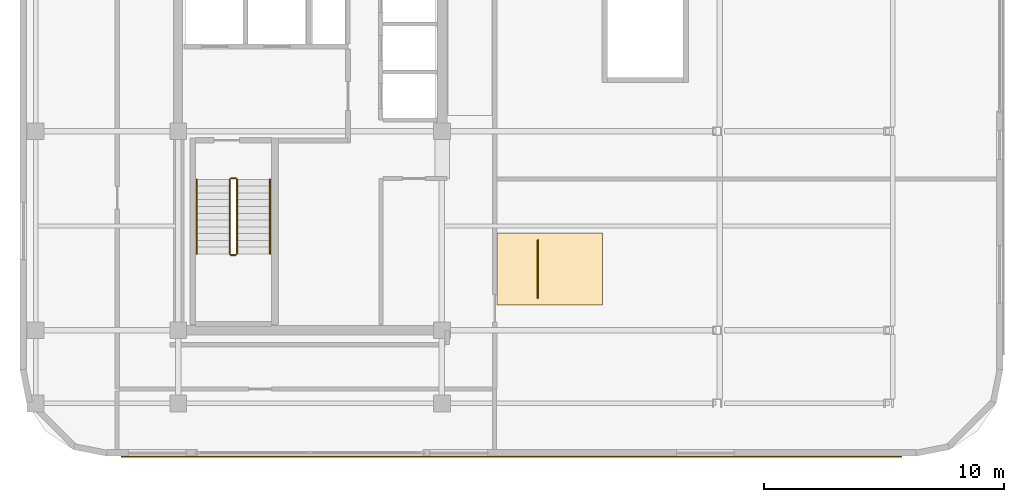
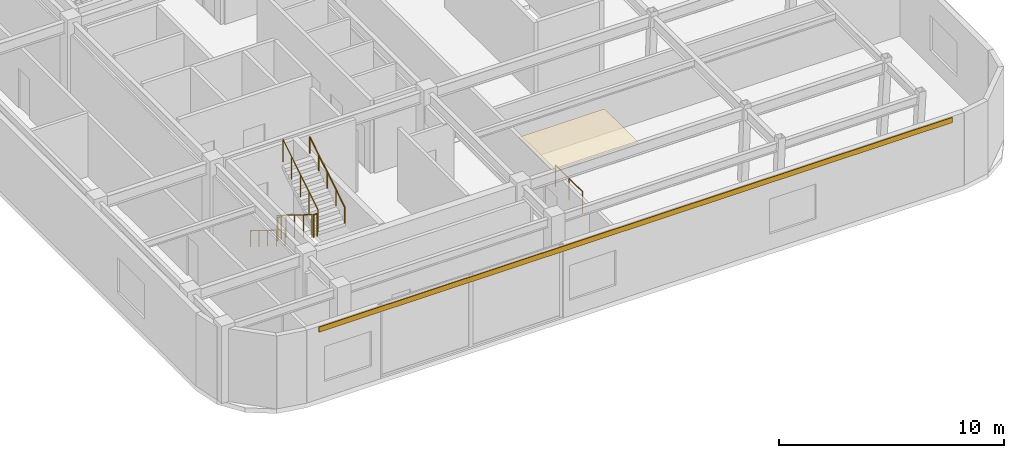
# One storey, part 9 of 11: 7 railings, 2 coverings.
"""IFC4 building model written with IfcOpenShell, lengths in metres."""

from ifc_helpers import new_model, si_unit, direction, frame, origin, origin_2d, place, context, subcontext, project, spatial, polyline, rectangle, circle, outline, extrude, material, layer, layer_set, type_object, element, save


model = new_model("IFC4")

# Units and contexts
model_context = context("Model", 3, precision=1e-05, world=origin(), true_north=direction((0.0, 1.0)))
body_context = subcontext(model_context, "Body", "Model", "MODEL_VIEW")
ifc_project = project(units=[si_unit("LENGTHUNIT", "METRE"), si_unit("AREAUNIT", "SQUARE_METRE"), si_unit("VOLUMEUNIT", "CUBIC_METRE"), si_unit("PLANEANGLEUNIT", "RADIAN"), si_unit("MASSUNIT", "GRAM", prefix="KILO")], contexts=[model_context])

# Site, building, storey
site_placement = place(None, origin())
site = spatial("IfcSite", under=ifc_project, at=site_placement, CompositionType="ELEMENT")
building_placement = place(site_placement, origin())
building = spatial("IfcBuilding", under=site, at=building_placement, Name="Ochreholt Gables", CompositionType="ELEMENT")
storey_placement = place(building_placement, frame((0.0, 0.0, 192.0)))
storey = spatial("IfcBuildingStorey", under=building, at=storey_placement, Name="L50", CompositionType="ELEMENT", Elevation=192.0)

# Coverings
ifc_material_1 = material(Name="Mineral Fibre Acoustic Ceiling Tile", Category="gypsum")
ifc_layer_1 = layer(ifc_material_1, 0.034912109375, Name="Mineral Fibre Acoustic Ceiling Tile")
ifc_layer_set_1 = layer_set([ifc_layer_1], Name="Mineral Fibre Acoustic Ceiling Tile")
covering_type_1 = type_object("IfcCoveringType", Name="COV-CEIL-AC", PredefinedType="CEILING", material=ifc_layer_set_1)
covering_1_placement = place(storey_placement, frame((0.0, 0.0, 3.080078125)))
element("IfcCovering", 1, at=covering_1_placement, inside=storey, type_object=covering_type_1, Name="L50 Suspended Acoustic Ceiling", PredefinedType="CEILING", context=body_context, shape_type="SweptSolid", body=[
    extrude(outline(polyline([(37.489990234375, 10.300048828125), (41.889892578125, 10.300048828125), (41.889892578125, 13.300048828125), (37.489990234375, 13.300048828125), (37.489990234375, 10.300048828125)])), origin(), (0.0, 0.0, 1.0), 0.034912109375),
])
ifc_material_2 = material(Name="Glazed Ochre Terracotta Rainscreen Cladding", Category="masonry")
ifc_layer_2 = layer(ifc_material_2, 0.044921875, Name="Glazed Ochre Terracotta Rainscreen Cladding")
ifc_layer_set_2 = layer_set([ifc_layer_2], Name="Glazed Ochre Terracotta Rainscreen Cladding")
covering_type_2 = type_object("IfcCoveringType", Name="COV-CLAD-TC", PredefinedType="CLADDING", material=ifc_layer_set_2)
covering_2_placement = place(storey_placement, frame((38.10009765625, 3.97998046875, 3.66015625), z_axis=(0.0, 0.0, 1.0), x_axis=(1.0, 0.0, 0.0)))
element("IfcCovering", 2, at=covering_2_placement, inside=storey, type_object=covering_type_2, Name="L50 Terracotta Spandrel Cladding South", PredefinedType="CLADDING", context=body_context, shape_type="SweptSolid", body=[
    extrude(rectangle(XDim=32.56005859375, YDim=0.044921875, at=origin_2d()), origin(), (0.0, 0.0, 1.0), 0.280029296875),
])

# Railings
ifc_material_3 = material(Name="Laminated Glass and Bronze Interior Balustrade", Category="glass")
railing_type_1 = type_object("IfcRailingType", Name="RL-INT-BAL", PredefinedType="BALUSTRADE", material=ifc_material_3)
railing_1_placement = place(storey_placement, frame((39.199951171875, 10.60009765625, 0.0)))
element("IfcRailing", 3, at=railing_1_placement, inside=storey, type_object=railing_type_1, Name="L50 Gallery Balustrade", PredefinedType="BALUSTRADE", context=body_context, shape_type="SweptSolid", body=[
    extrude(circle(Radius=0.02392578125, at=origin_2d()), frame((0.0, 0.0, 1.17578125), z_axis=(0.0, 1.0, 0.0), x_axis=(-1.0, 0.0, 0.0)), (0.0, 0.0, 1.0), 2.39990234375),
    extrude(circle(Radius=0.02099609375, at=origin_2d()), origin(), (0.0, 0.0, 1.0), 1.15185546875),
    extrude(circle(Radius=0.02099609375, at=origin_2d()), frame((0.0, 1.199951171875, 0.0)), (0.0, 0.0, 1.0), 1.15185546875),
    extrude(circle(Radius=0.02099609375, at=origin_2d()), frame((0.0, 2.39990234375, 0.0)), (0.0, 0.0, 1.0), 1.15185546875),
])
ifc_material_4 = material(Name="Painted Steel Stair Guardrail", Category="steel")
railing_type_2 = type_object("IfcRailingType", Name="RL-ST-GUARD", PredefinedType="GUARDRAIL", material=ifc_material_4)
railing_2_placement = place(storey_placement, frame((26.35009765625, 15.5400390625, 0.175048828125)))
element("IfcRailing", 4, at=railing_2_placement, inside=storey, type_object=railing_type_2, Name="L50 ST-1 stair guard 1", PredefinedType="GUARDRAIL", context=body_context, shape_type="SweptSolid", body=[
    extrude(circle(Radius=0.02392578125, at=origin_2d()), frame((0.0, 0.0, 1.22607421875), z_axis=(0.0, -0.849684591916, 0.527291280281), x_axis=(1.0, 0.0, 0.0)), (0.0, 0.0, 1.0), 3.65087890625),
    extrude(circle(Radius=0.02099609375, at=origin_2d()), origin(), (0.0, 0.0, 1.0), 1.201904296875),
    extrude(circle(Radius=0.02099609375, at=origin_2d()), frame((0.0, -0.775390625, 0.481201171875)), (0.0, 0.0, 1.0), 1.201904296875),
    extrude(circle(Radius=0.02099609375, at=origin_2d()), frame((0.0, -1.551025390625, 0.96240234375)), (0.0, 0.0, 1.0), 1.201904296875),
    extrude(circle(Radius=0.02099609375, at=origin_2d()), frame((0.0, -2.32666015625, 1.44384765625)), (0.0, 0.0, 1.0), 1.201904296875),
    extrude(circle(Radius=0.02099609375, at=origin_2d()), frame((0.0, -3.10205078125, 1.925048828125)), (0.0, 0.0, 1.0), 1.201904296875),
])
railing_3_placement = place(storey_placement, frame((26.39990234375, 12.387939453125, 2.10009765625)))
element("IfcRailing", 5, at=railing_3_placement, inside=storey, type_object=railing_type_2, Name="L50 ST-1 stair guard 2", PredefinedType="GUARDRAIL", context=body_context, shape_type="SweptSolid", body=[
    extrude(circle(Radius=0.02392578125, at=origin_2d()), frame((0.0, 0.0, 1.22607421875), z_axis=(1.0, 0.0, 0.0), x_axis=(0.0, 1.0, 0.0)), (0.0, 0.0, 1.0), 0.2001953125),
    extrude(circle(Radius=0.02099609375, at=origin_2d()), origin(), (0.0, 0.0, 1.0), 1.201904296875),
    extrude(circle(Radius=0.02099609375, at=origin_2d()), frame((0.2001953125, 0.0, 0.0)), (0.0, 0.0, 1.0), 1.201904296875),
])
railing_4_placement = place(storey_placement, frame((26.64990234375, 12.43798828125, 2.27490234375)))
element("IfcRailing", 6, at=railing_4_placement, inside=storey, type_object=railing_type_2, Name="L50 ST-1 stair guard 3", PredefinedType="GUARDRAIL", context=body_context, shape_type="SweptSolid", body=[
    extrude(circle(Radius=0.02392578125, at=origin_2d()), frame((0.0, 0.0, 1.22607421875), z_axis=(0.0, 0.849684591916, 0.527291280281), x_axis=(-1.0, 0.0, 0.0)), (0.0, 0.0, 1.0), 3.65087890625),
    extrude(circle(Radius=0.02099609375, at=origin_2d()), origin(), (0.0, 0.0, 1.0), 1.201904296875),
    extrude(circle(Radius=0.02099609375, at=origin_2d()), frame((0.0, 0.775390625, 0.481201171875)), (0.0, 0.0, 1.0), 1.201904296875),
    extrude(circle(Radius=0.02099609375, at=origin_2d()), frame((0.0, 1.551025390625, 0.96240234375)), (0.0, 0.0, 1.0), 1.201904296875),
    extrude(circle(Radius=0.02099609375, at=origin_2d()), frame((0.0, 2.32666015625, 1.44384765625)), (0.0, 0.0, 1.0), 1.201904296875),
    extrude(circle(Radius=0.02099609375, at=origin_2d()), frame((0.0, 3.10205078125, 1.925048828125)), (0.0, 0.0, 1.0), 1.201904296875),
])
railing_5_placement = place(storey_placement, frame((26.39990234375, 15.590087890625, 0.0)))
element("IfcRailing", 7, at=railing_5_placement, inside=storey, type_object=railing_type_2, Name="L50 ST-1 stair guard 4", PredefinedType="GUARDRAIL", context=body_context, shape_type="SweptSolid", body=[
    extrude(circle(Radius=0.02392578125, at=origin_2d()), frame((0.0, 0.0, 1.22607421875), z_axis=(1.0, 0.0, 0.0), x_axis=(0.0, 1.0, 0.0)), (0.0, 0.0, 1.0), 0.2001953125),
    extrude(circle(Radius=0.02099609375, at=origin_2d()), origin(), (0.0, 0.0, 1.0), 1.201904296875),
    extrude(circle(Radius=0.02099609375, at=origin_2d()), frame((0.2001953125, 0.0, 0.0)), (0.0, 0.0, 1.0), 1.201904296875),
])
ifc_material_5 = material(Name="Brushed Stainless Steel Wall Handrail", Category="steel")
railing_type_3 = type_object("IfcRailingType", Name="RL-ST-HAND", PredefinedType="HANDRAIL", material=ifc_material_5)
railing_6_placement = place(storey_placement, frame((24.969970703125, 15.5400390625, 0.175048828125)))
element("IfcRailing", 8, at=railing_6_placement, inside=storey, type_object=railing_type_3, Name="L50 ST-1 stair handrail 1", PredefinedType="HANDRAIL", context=body_context, shape_type="SweptSolid", body=[
    extrude(circle(Radius=0.02392578125, at=origin_2d()), frame((0.0, 0.0, 0.8759765625), z_axis=(0.0, -0.849684591916, 0.527291280281), x_axis=(1.0, 0.0, 0.0)), (0.0, 0.0, 1.0), 3.65087890625),
    extrude(circle(Radius=0.02099609375, at=origin_2d()), origin(), (0.0, 0.0, 1.0), 0.851806640625),
    extrude(circle(Radius=0.02099609375, at=origin_2d()), frame((0.0, -0.775390625, 0.481201171875)), (0.0, 0.0, 1.0), 0.851806640625),
    extrude(circle(Radius=0.02099609375, at=origin_2d()), frame((0.0, -1.551025390625, 0.96240234375)), (0.0, 0.0, 1.0), 0.851806640625),
    extrude(circle(Radius=0.02099609375, at=origin_2d()), frame((0.0, -2.32666015625, 1.44384765625)), (0.0, 0.0, 1.0), 0.851806640625),
    extrude(circle(Radius=0.02099609375, at=origin_2d()), frame((0.0, -3.10205078125, 1.925048828125)), (0.0, 0.0, 1.0), 0.851806640625),
])
railing_7_placement = place(storey_placement, frame((28.030029296875, 12.43798828125, 2.27490234375)))
element("IfcRailing", 9, at=railing_7_placement, inside=storey, type_object=railing_type_3, Name="L50 ST-1 stair handrail 2", PredefinedType="HANDRAIL", context=body_context, shape_type="SweptSolid", body=[
    extrude(circle(Radius=0.02392578125, at=origin_2d()), frame((0.0, 0.0, 0.8759765625), z_axis=(0.0, 0.849684591916, 0.527291280281), x_axis=(-1.0, 0.0, 0.0)), (0.0, 0.0, 1.0), 3.65087890625),
    extrude(circle(Radius=0.02099609375, at=origin_2d()), origin(), (0.0, 0.0, 1.0), 0.851806640625),
    extrude(circle(Radius=0.02099609375, at=origin_2d()), frame((0.0, 0.775390625, 0.481201171875)), (0.0, 0.0, 1.0), 0.851806640625),
    extrude(circle(Radius=0.02099609375, at=origin_2d()), frame((0.0, 1.551025390625, 0.96240234375)), (0.0, 0.0, 1.0), 0.851806640625),
    extrude(circle(Radius=0.02099609375, at=origin_2d()), frame((0.0, 2.32666015625, 1.44384765625)), (0.0, 0.0, 1.0), 0.851806640625),
    extrude(circle(Radius=0.02099609375, at=origin_2d()), frame((0.0, 3.10205078125, 1.925048828125)), (0.0, 0.0, 1.0), 0.851806640625),
])

save(model, "model.ifc")
